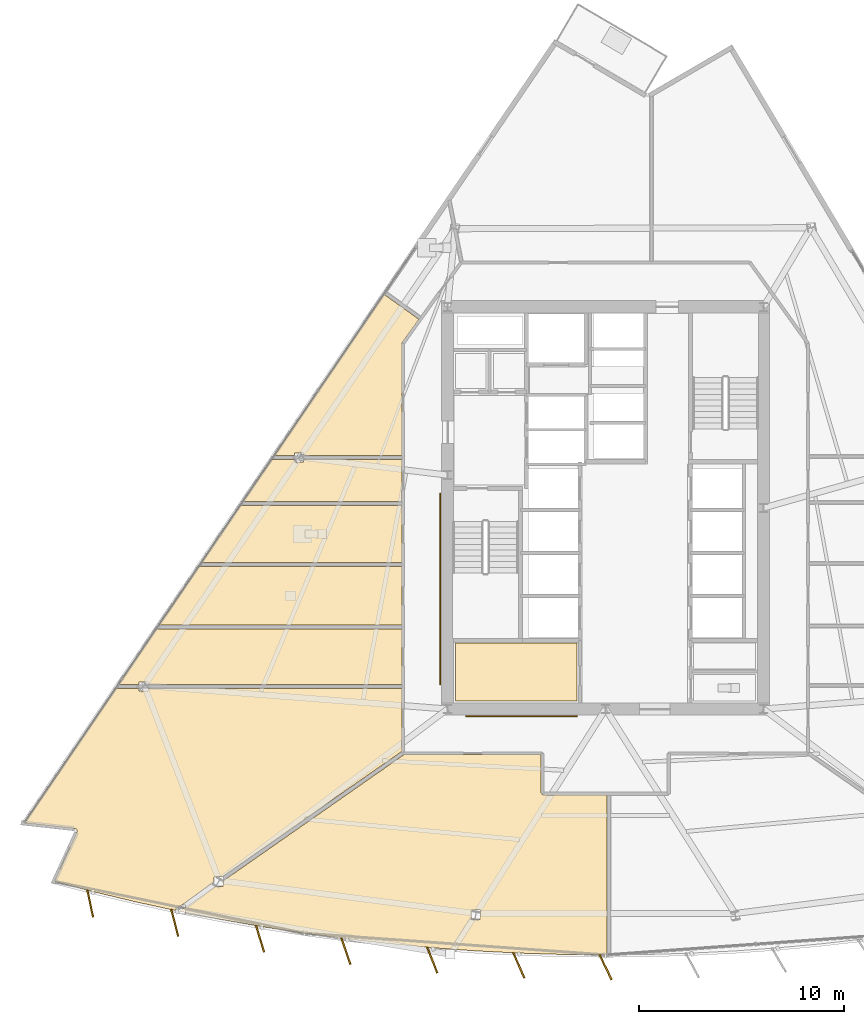
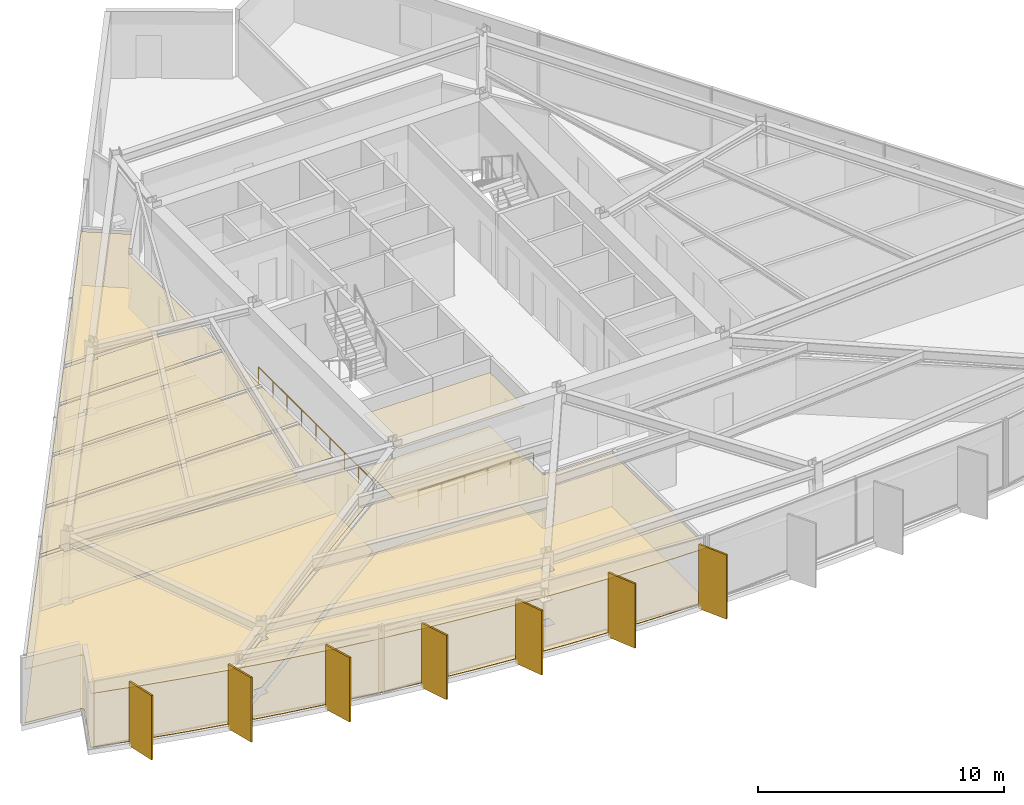
# One storey, part 11 of 15: 16 coverings, 7 shading devices, 2 railings.
"""IFC4 building model written with IfcOpenShell, lengths in metres."""

from ifc_helpers import new_model, si_unit, direction, frame, origin, origin_2d, place, context, subcontext, project, spatial, polyline, rectangle, circle, outline, extrude, material, layer, layer_set, type_object, element, save


model = new_model("IFC4")

# Units and contexts
model_context = context("Model", 3, precision=1e-05, world=origin(), true_north=direction((0.0, 1.0)))
body_context = subcontext(model_context, "Body", "Model", "MODEL_VIEW")
ifc_project = project(units=[si_unit("LENGTHUNIT", "METRE"), si_unit("AREAUNIT", "SQUARE_METRE"), si_unit("VOLUMEUNIT", "CUBIC_METRE"), si_unit("PLANEANGLEUNIT", "RADIAN"), si_unit("MASSUNIT", "GRAM", prefix="KILO")], contexts=[model_context])

# Site, building, storey
site_placement = place(None, origin())
site = spatial("IfcSite", under=ifc_project, at=site_placement, CompositionType="ELEMENT")
building_placement = place(site_placement, origin())
building = spatial("IfcBuilding", under=site, at=building_placement, Name="Savorim Split Tower", CompositionType="ELEMENT")
storey_placement = place(building_placement, frame((0.0, 0.0, 100.5)))
storey = spatial("IfcBuildingStorey", under=building, at=storey_placement, Name="L26", CompositionType="ELEMENT", Elevation=100.5)

# Coverings
ifc_material_1 = material(Name="Mineral Fibre Acoustic Ceiling")
ifc_layer_1 = layer(ifc_material_1, 0.02490234375)
ifc_layer_set_1 = layer_set([ifc_layer_1], Name="COV-CEIL-25")
covering_type_1 = type_object("IfcCoveringType", Name="COV-CEIL-25", PredefinedType="CEILING", material=ifc_layer_set_1)
covering_1_placement = place(storey_placement, frame((0.0, 0.0, 2.669921875)))
element("IfcCovering", 1, at=covering_1_placement, inside=storey, type_object=covering_type_1, Name="L26 Housekeeping Store Acoustic Ceiling", PredefinedType="CEILING", context=body_context, shape_type="SweptSolid", body=[
    extrude(outline(polyline([(-7.320068359375, -6.179931640625), (-7.320068359375, -9.02001953125), (-1.3798828125, -9.02001953125), (-1.3798828125, -6.179931640625), (-7.320068359375, -6.179931640625)])), origin(), (0.0, 0.0, 1.0), 0.025146484375),
])
covering_2_placement = place(storey_placement, frame((0.0, 0.0, 2.669921875)))
element("IfcCovering", 2, at=covering_2_placement, inside=storey, type_object=covering_type_1, Name="L26 Shared Bathroom Acoustic Ceiling", PredefinedType="CEILING", context=body_context, shape_type="SweptSolid", body=[
    extrude(outline(polyline([(-17.79833984375, 0.521728515625), (-19.69091796875, -2.260009765625), (-9.919921875, -2.260009765625), (-9.919921875, 0.521728515625), (-17.79833984375, 0.521728515625)])), origin(), (0.0, 0.0, 1.0), 0.025146484375),
])
covering_3_placement = place(storey_placement, frame((0.0, 0.0, 2.669921875)))
element("IfcCovering", 3, at=covering_3_placement, inside=storey, type_object=covering_type_1, Name="L26 Shared Kitchen Acoustic Ceiling", PredefinedType="CEILING", context=body_context, shape_type="SweptSolid", body=[
    extrude(outline(polyline([(-19.820068359375, -2.4501953125), (-21.763916015625, -5.307373046875), (-9.919921875, -5.307373046875), (-9.919921875, -2.4501953125), (-19.820068359375, -2.4501953125)])), origin(), (0.0, 0.0, 1.0), 0.025146484375),
])
covering_4_placement = place(storey_placement, frame((0.0, 0.0, 2.669921875)))
element("IfcCovering", 4, at=covering_4_placement, inside=storey, type_object=covering_type_1, Name="L26 Co-Working Commons Acoustic Ceiling", PredefinedType="CEILING", context=body_context, shape_type="SweptSolid", body=[
    extrude(outline(polyline([(-22.307373046875, -8.076416015625), (-22.307373046875, -8.203857421875), (-9.919921875, -8.203857421875), (-9.919921875, -5.497314453125), (-21.89306640625, -5.497314453125), (-23.734375, -8.203857421875), (-22.736328125, -8.203857421875), (-22.736328125, -8.076416015625), (-22.307373046875, -8.076416015625)])), origin(), (0.0, 0.0, 1.0), 0.025146484375),
])
covering_5_placement = place(storey_placement, frame((0.0, 0.0, 2.669921875)))
element("IfcCovering", 5, at=covering_5_placement, inside=storey, type_object=covering_type_1, Name="L26 Co-Working Commons Acoustic Ceiling", PredefinedType="CEILING", context=body_context, shape_type="SweptSolid", body=[
    extrude(outline(polyline([(-25.751708984375, -15.35107421875), (-25.752685546875, -15.36279296875), (-25.7548828125, -15.374755859375), (-25.758056640625, -15.385986328125), (-25.7626953125, -15.397216796875), (-26.867919921875, -17.80322265625), (-24.9716796875, -18.29931640625), (-22.927490234375, -18.789306640625), (-20.927001953125, -19.225830078125), (-20.96533203125, -19.171142578125), (-19.07666015625, -17.852294921875), (-19.07666015625, -17.595947265625), (-18.70947265625, -17.595947265625), (-9.95068359375, -11.479736328125), (-9.919921875, -11.45849609375), (-9.919921875, -8.393798828125), (-22.307373046875, -8.393798828125), (-22.307373046875, -8.521484375), (-22.736328125, -8.521484375), (-22.736328125, -8.393798828125), (-23.73828125, -8.393798828125), (-23.83349609375, -8.393798828125), (-23.83349609375, -8.349609375), (-28.3251953125, -14.952392578125), (-25.8583984375, -15.227783203125), (-25.846435546875, -15.229736328125), (-25.8349609375, -15.23291015625), (-25.82373046875, -15.237060546875), (-25.81298828125, -15.2421875), (-25.802978515625, -15.248779296875), (-25.79345703125, -15.256103515625), (-25.784912109375, -15.26416015625), (-25.777099609375, -15.273193359375), (-25.770263671875, -15.282958984375), (-25.764404296875, -15.293212890625), (-25.759521484375, -15.30419921875), (-25.755859375, -15.315673828125), (-25.75341796875, -15.3271484375), (-25.751953125, -15.339111328125), (-25.751708984375, -15.35107421875)])), origin(), (0.0, 0.0, 1.0), 0.025146484375),
])
covering_6_placement = place(storey_placement, frame((0.0, 0.0, 2.669921875)))
element("IfcCovering", 6, at=covering_6_placement, inside=storey, type_object=covering_type_1, Name="L26 Co-Working Commons Acoustic Ceiling", PredefinedType="CEILING", context=body_context, shape_type="SweptSolid", body=[
    extrude(outline(polyline([(-4.202880859375, -21.294921875), (-2.101806640625, -21.359375), (0.0, -21.380859375), (0.072509765625, -21.380126953125), (0.072509765625, -13.590087890625), (-3.0, -13.590087890625), (-3.013671875, -13.58935546875), (-3.02734375, -13.58740234375), (-3.04052734375, -13.583984375), (-3.0537109375, -13.579345703125), (-3.06591796875, -13.573486328125), (-3.077880859375, -13.56640625), (-3.0888671875, -13.55810546875), (-3.09912109375, -13.549072265625), (-3.108154296875, -13.538818359375), (-3.116455078125, -13.52783203125), (-3.12353515625, -13.51611328125), (-3.12939453125, -13.503662109375), (-3.134033203125, -13.490478515625), (-3.13720703125, -13.477294921875), (-3.139404296875, -13.463623046875), (-3.139892578125, -13.449951171875), (-3.139892578125, -11.6201171875), (-9.780029296875, -11.6201171875), (-9.793701171875, -11.619384765625), (-9.807373046875, -11.6171875), (-9.8134765625, -11.61572265625), (-18.647705078125, -17.784423828125), (-18.647705078125, -18.041015625), (-19.014892578125, -18.041015625), (-20.760498046875, -19.259765625), (-18.8115234375, -19.6435546875), (-16.7412109375, -20.00732421875), (-14.6640625, -20.32861328125), (-12.58056640625, -20.607421875), (-10.49169921875, -20.843505859375), (-8.398681640625, -21.036865234375), (-6.302001953125, -21.187255859375), (-4.202880859375, -21.294921875)]), holes=[polyline([(-6.5361328125, -19.65087890625), (-6.107177734375, -19.65087890625), (-6.107177734375, -19.2060546875), (-6.5361328125, -19.2060546875), (-6.5361328125, -19.65087890625)])]), origin(), (0.0, 0.0, 1.0), 0.025146484375),
])
covering_7_placement = place(storey_placement, frame((0.0, 0.0, 2.669921875)))
element("IfcCovering", 7, at=covering_7_placement, inside=storey, type_object=covering_type_1, Name="L26 Maker Workshop Acoustic Ceiling", PredefinedType="CEILING", context=body_context, shape_type="SweptSolid", body=[
    extrude(outline(polyline([(-9.908203125, 8.456298828125), (-9.901611328125, 8.46923828125), (-9.893798828125, 8.4814453125), (-9.095703125, 9.59521484375), (-10.796875, 10.81396484375), (-16.144775390625, 2.952392578125), (-15.14697265625, 2.952392578125), (-15.14697265625, 3.080078125), (-14.718017578125, 3.080078125), (-14.718017578125, 2.952392578125), (-9.919921875, 2.952392578125), (-9.919921875, 8.39990234375), (-9.919189453125, 8.41455078125), (-9.9169921875, 8.4287109375), (-9.913330078125, 8.44287109375), (-9.908203125, 8.456298828125)])), origin(), (0.0, 0.0, 1.0), 0.025146484375),
])
covering_8_placement = place(storey_placement, frame((0.0, 0.0, 2.669921875)))
element("IfcCovering", 8, at=covering_8_placement, inside=storey, type_object=covering_type_1, Name="L26 Co-Living Bedroom Acoustic Ceiling", PredefinedType="CEILING", context=body_context, shape_type="SweptSolid", body=[
    extrude(outline(polyline([(-15.14697265625, 2.762451171875), (-16.14892578125, 2.762451171875), (-16.243896484375, 2.762451171875), (-16.243896484375, 2.806640625), (-17.669189453125, 0.7119140625), (-9.919921875, 0.7119140625), (-9.919921875, 2.762451171875), (-14.718017578125, 2.762451171875), (-14.718017578125, 2.635009765625), (-15.14697265625, 2.635009765625), (-15.14697265625, 2.762451171875)])), origin(), (0.0, 0.0, 1.0), 0.025146484375),
])
ifc_material_2 = material(Name="Porcelain Stoneware Flooring", Category="masonry")
ifc_layer_2 = layer(ifc_material_2, 0.02001953125)
ifc_layer_set_2 = layer_set([ifc_layer_2], Name="COV-FLOR-20")
covering_type_2 = type_object("IfcCoveringType", Name="COV-FLOR-20", PredefinedType="FLOORING", material=ifc_layer_set_2)
covering_9_placement = place(storey_placement, origin())
element("IfcCovering", 9, at=covering_9_placement, inside=storey, type_object=covering_type_2, Name="L26 Housekeeping Store Porcelain Flooring", PredefinedType="FLOORING", context=body_context, shape_type="SweptSolid", body=[
    extrude(outline(polyline([(-7.320068359375, -6.179931640625), (-7.320068359375, -9.02001953125), (-1.3798828125, -9.02001953125), (-1.3798828125, -6.179931640625), (-7.320068359375, -6.179931640625)])), origin(), (0.0, 0.0, 1.0), 0.02001953125),
])
covering_10_placement = place(storey_placement, origin())
element("IfcCovering", 10, at=covering_10_placement, inside=storey, type_object=covering_type_2, Name="L26 Shared Bathroom Porcelain Flooring", PredefinedType="FLOORING", context=body_context, shape_type="SweptSolid", body=[
    extrude(outline(polyline([(-17.79833984375, 0.521728515625), (-19.69091796875, -2.260009765625), (-9.919921875, -2.260009765625), (-9.919921875, 0.521728515625), (-17.79833984375, 0.521728515625)])), origin(), (0.0, 0.0, 1.0), 0.02001953125),
])
covering_11_placement = place(storey_placement, origin())
element("IfcCovering", 11, at=covering_11_placement, inside=storey, type_object=covering_type_2, Name="L26 Shared Kitchen Porcelain Flooring", PredefinedType="FLOORING", context=body_context, shape_type="SweptSolid", body=[
    extrude(outline(polyline([(-19.820068359375, -2.4501953125), (-21.763916015625, -5.307373046875), (-9.919921875, -5.307373046875), (-9.919921875, -2.4501953125), (-19.820068359375, -2.4501953125)])), origin(), (0.0, 0.0, 1.0), 0.02001953125),
])
covering_12_placement = place(storey_placement, origin())
element("IfcCovering", 12, at=covering_12_placement, inside=storey, type_object=covering_type_2, Name="L26 Co-Working Commons Porcelain Flooring", PredefinedType="FLOORING", context=body_context, shape_type="SweptSolid", body=[
    extrude(outline(polyline([(-22.307373046875, -8.076416015625), (-22.307373046875, -8.203857421875), (-9.919921875, -8.203857421875), (-9.919921875, -5.497314453125), (-21.89306640625, -5.497314453125), (-23.734375, -8.203857421875), (-22.736328125, -8.203857421875), (-22.736328125, -8.076416015625), (-22.307373046875, -8.076416015625)])), origin(), (0.0, 0.0, 1.0), 0.02001953125),
])
covering_13_placement = place(storey_placement, origin())
element("IfcCovering", 13, at=covering_13_placement, inside=storey, type_object=covering_type_2, Name="L26 Co-Working Commons Porcelain Flooring", PredefinedType="FLOORING", context=body_context, shape_type="SweptSolid", body=[
    extrude(outline(polyline([(-25.751708984375, -15.35107421875), (-25.752685546875, -15.36279296875), (-25.7548828125, -15.374755859375), (-25.758056640625, -15.385986328125), (-25.7626953125, -15.397216796875), (-26.867919921875, -17.80322265625), (-24.9716796875, -18.29931640625), (-22.927490234375, -18.789306640625), (-20.927001953125, -19.225830078125), (-20.96533203125, -19.171142578125), (-19.07666015625, -17.852294921875), (-19.07666015625, -17.595947265625), (-18.70947265625, -17.595947265625), (-9.95068359375, -11.479736328125), (-9.919921875, -11.45849609375), (-9.919921875, -8.393798828125), (-22.307373046875, -8.393798828125), (-22.307373046875, -8.521484375), (-22.736328125, -8.521484375), (-22.736328125, -8.393798828125), (-23.73828125, -8.393798828125), (-23.83349609375, -8.393798828125), (-23.83349609375, -8.349609375), (-28.3251953125, -14.952392578125), (-25.8583984375, -15.227783203125), (-25.846435546875, -15.229736328125), (-25.8349609375, -15.23291015625), (-25.82373046875, -15.237060546875), (-25.81298828125, -15.2421875), (-25.802978515625, -15.248779296875), (-25.79345703125, -15.256103515625), (-25.784912109375, -15.26416015625), (-25.777099609375, -15.273193359375), (-25.770263671875, -15.282958984375), (-25.764404296875, -15.293212890625), (-25.759521484375, -15.30419921875), (-25.755859375, -15.315673828125), (-25.75341796875, -15.3271484375), (-25.751953125, -15.339111328125), (-25.751708984375, -15.35107421875)])), origin(), (0.0, 0.0, 1.0), 0.02001953125),
])
covering_14_placement = place(storey_placement, origin())
element("IfcCovering", 14, at=covering_14_placement, inside=storey, type_object=covering_type_2, Name="L26 Co-Working Commons Porcelain Flooring", PredefinedType="FLOORING", context=body_context, shape_type="SweptSolid", body=[
    extrude(outline(polyline([(-4.202880859375, -21.294921875), (-2.101806640625, -21.359375), (0.0, -21.380859375), (0.072509765625, -21.380126953125), (0.072509765625, -13.590087890625), (-3.0, -13.590087890625), (-3.013671875, -13.58935546875), (-3.02734375, -13.58740234375), (-3.04052734375, -13.583984375), (-3.0537109375, -13.579345703125), (-3.06591796875, -13.573486328125), (-3.077880859375, -13.56640625), (-3.0888671875, -13.55810546875), (-3.09912109375, -13.549072265625), (-3.108154296875, -13.538818359375), (-3.116455078125, -13.52783203125), (-3.12353515625, -13.51611328125), (-3.12939453125, -13.503662109375), (-3.134033203125, -13.490478515625), (-3.13720703125, -13.477294921875), (-3.139404296875, -13.463623046875), (-3.139892578125, -13.449951171875), (-3.139892578125, -11.6201171875), (-9.780029296875, -11.6201171875), (-9.793701171875, -11.619384765625), (-9.807373046875, -11.6171875), (-9.8134765625, -11.61572265625), (-18.647705078125, -17.784423828125), (-18.647705078125, -18.041015625), (-19.014892578125, -18.041015625), (-20.760498046875, -19.259765625), (-18.8115234375, -19.6435546875), (-16.7412109375, -20.00732421875), (-14.6640625, -20.32861328125), (-12.58056640625, -20.607421875), (-10.49169921875, -20.843505859375), (-8.398681640625, -21.036865234375), (-6.302001953125, -21.187255859375), (-4.202880859375, -21.294921875)]), holes=[polyline([(-6.5361328125, -19.65087890625), (-6.107177734375, -19.65087890625), (-6.107177734375, -19.2060546875), (-6.5361328125, -19.2060546875), (-6.5361328125, -19.65087890625)])]), origin(), (0.0, 0.0, 1.0), 0.02001953125),
])
covering_15_placement = place(storey_placement, origin())
element("IfcCovering", 15, at=covering_15_placement, inside=storey, type_object=covering_type_2, Name="L26 Maker Workshop Porcelain Flooring", PredefinedType="FLOORING", context=body_context, shape_type="SweptSolid", body=[
    extrude(outline(polyline([(-9.908203125, 8.456298828125), (-9.901611328125, 8.46923828125), (-9.893798828125, 8.4814453125), (-9.095703125, 9.59521484375), (-10.796875, 10.81396484375), (-16.144775390625, 2.952392578125), (-15.14697265625, 2.952392578125), (-15.14697265625, 3.080078125), (-14.718017578125, 3.080078125), (-14.718017578125, 2.952392578125), (-9.919921875, 2.952392578125), (-9.919921875, 8.39990234375), (-9.919189453125, 8.41455078125), (-9.9169921875, 8.4287109375), (-9.913330078125, 8.44287109375), (-9.908203125, 8.456298828125)])), origin(), (0.0, 0.0, 1.0), 0.02001953125),
])
covering_16_placement = place(storey_placement, origin())
element("IfcCovering", 16, at=covering_16_placement, inside=storey, type_object=covering_type_2, Name="L26 Co-Living Bedroom Porcelain Flooring", PredefinedType="FLOORING", context=body_context, shape_type="SweptSolid", body=[
    extrude(outline(polyline([(-15.14697265625, 2.762451171875), (-16.14892578125, 2.762451171875), (-16.243896484375, 2.762451171875), (-16.243896484375, 2.806640625), (-17.669189453125, 0.7119140625), (-9.919921875, 0.7119140625), (-9.919921875, 2.762451171875), (-14.718017578125, 2.762451171875), (-14.718017578125, 2.635009765625), (-15.14697265625, 2.635009765625), (-15.14697265625, 2.762451171875)])), origin(), (0.0, 0.0, 1.0), 0.02001953125),
])

# Railings
ifc_material_3 = material(Name="Galvanised Painted Steel Balustrade", Category="steel")
railing_type = type_object("IfcRailingType", Name="RLG-HR-900", PredefinedType="HANDRAIL", material=ifc_material_3)
railing_1_placement = place(storey_placement, frame((-6.800048828125, -9.75, 0.0)))
element("IfcRailing", 17, at=railing_1_placement, inside=storey, type_object=railing_type, Name="L26 Corridor South Accessible Handrail", PredefinedType="HANDRAIL", context=body_context, shape_type="SweptSolid", body=[
    extrude(circle(Radius=0.02392578125, at=origin_2d()), frame((0.0, 0.0, 0.8759765625), z_axis=(1.0, 0.0, 0.0), x_axis=(0.0, 1.0, 0.0)), (0.0, 0.0, 1.0), 5.400146484375),
    extrude(circle(Radius=0.02099609375, at=origin_2d()), origin(), (0.0, 0.0, 1.0), 0.851806640625),
    extrude(circle(Radius=0.02099609375, at=origin_2d()), frame((1.080078125, 0.0, 0.0)), (0.0, 0.0, 1.0), 0.851806640625),
    extrude(circle(Radius=0.02099609375, at=origin_2d()), frame((2.16015625, 0.0, 0.0)), (0.0, 0.0, 1.0), 0.851806640625),
    extrude(circle(Radius=0.02099609375, at=origin_2d()), frame((3.239990234375, 0.0, 0.0)), (0.0, 0.0, 1.0), 0.851806640625),
    extrude(circle(Radius=0.02099609375, at=origin_2d()), frame((4.320068359375, 0.0, 0.0)), (0.0, 0.0, 1.0), 0.851806640625),
    extrude(circle(Radius=0.02099609375, at=origin_2d()), frame((5.400146484375, 0.0, 0.0)), (0.0, 0.0, 1.0), 0.851806640625),
])
railing_2_placement = place(storey_placement, frame((-8.050048828125, -8.199951171875, 0.0)))
element("IfcRailing", 18, at=railing_2_placement, inside=storey, type_object=railing_type, Name="L26 Corridor West Accessible Handrail", PredefinedType="HANDRAIL", context=body_context, shape_type="SweptSolid", body=[
    extrude(circle(Radius=0.02392578125, at=origin_2d()), frame((0.0, 0.0, 0.8759765625), z_axis=(0.0, 1.0, 0.0), x_axis=(-1.0, 0.0, 0.0)), (0.0, 0.0, 1.0), 9.300048828125),
    extrude(circle(Radius=0.02099609375, at=origin_2d()), origin(), (0.0, 0.0, 1.0), 0.851806640625),
    extrude(circle(Radius=0.02099609375, at=origin_2d()), frame((0.0, 1.16259765625, 0.0)), (0.0, 0.0, 1.0), 0.851806640625),
    extrude(circle(Radius=0.02099609375, at=origin_2d()), frame((0.0, 2.324951171875, 0.0)), (0.0, 0.0, 1.0), 0.851806640625),
    extrude(circle(Radius=0.02099609375, at=origin_2d()), frame((0.0, 3.487548828125, 0.0)), (0.0, 0.0, 1.0), 0.851806640625),
    extrude(circle(Radius=0.02099609375, at=origin_2d()), frame((0.0, 4.64990234375, 0.0)), (0.0, 0.0, 1.0), 0.851806640625),
    extrude(circle(Radius=0.02099609375, at=origin_2d()), frame((0.0, 5.8125, 0.0)), (0.0, 0.0, 1.0), 0.851806640625),
    extrude(circle(Radius=0.02099609375, at=origin_2d()), frame((0.0, 6.97509765625, 0.0)), (0.0, 0.0, 1.0), 0.851806640625),
    extrude(circle(Radius=0.02099609375, at=origin_2d()), frame((0.0, 8.137451171875, 0.0)), (0.0, 0.0, 1.0), 0.851806640625),
    extrude(circle(Radius=0.02099609375, at=origin_2d()), frame((0.0, 9.300048828125, 0.0)), (0.0, 0.0, 1.0), 0.851806640625),
])

# Shading devices
ifc_material_4 = material(Name="Terracotta Ceramic-Coated Aluminium Fin", Category="masonry")
shading_device_type = type_object("IfcShadingDeviceType", Name="SHD-FIN-1360", PredefinedType="USERDEFINED", material=ifc_material_4)
for number, where, z_axis, x_axis, name in (
    (19, (-25.116455078125, -18.87744140625, -0.2001953125), (0.0, 0.0, 1.0), (0.206721626106, -0.978399800337, 0.0), "L26 Sawtooth Shading Fin 01"),
    (20, (-20.9951171875, -19.821044921875, -0.2001953125), (0.0, 0.0, 1.0), (0.246581250663, -0.969122121727, 0.0), "L26 Sawtooth Shading Fin 02"),
    (21, (-16.83837890625, -20.595458984375, -0.2001953125), (0.0, 0.0, 1.0), (0.286026212504, -0.958221793616, 0.0), "L26 Sawtooth Shading Fin 03"),
    (22, (-12.653564453125, -21.198974609375, -0.2001953125), (0.0, 0.0, 1.0), (0.324993810493, -0.945716143005, 0.0), "L26 Sawtooth Shading Fin 04"),
    (23, (-8.447509765625, -21.630859375, -0.2001953125), (0.0, 0.0, 1.0), (0.363415461732, -0.931627179817, 0.0), "L26 Sawtooth Shading Fin 05"),
    (24, (-4.227294921875, -21.890380859375, -0.2001953125), (0.0, 0.0, 1.0), (0.401230091723, -0.915977299662, 0.0), "L26 Sawtooth Shading Fin 06"),
    (25, (0.0, -21.976806640625, -0.2001953125), (0.0, 0.0, 1.0), (0.438371146789, -0.898794046299, 0.0), "L26 Sawtooth Shading Fin 07"),
):
    element("IfcShadingDevice", number, at=place(storey_placement, frame(where, z_axis=z_axis, x_axis=x_axis)), inside=storey, type_object=shading_device_type, Name=name, ObjectType="FIN", PredefinedType="USERDEFINED", context=body_context, shape_type="SweptSolid", body=[
        extrude(rectangle(XDim=1.360107421875, YDim=0.080078125, at=origin_2d()), origin(), (0.0, 0.0, 1.0), 3.199951171875),
    ])

save(model, "model.ifc")
